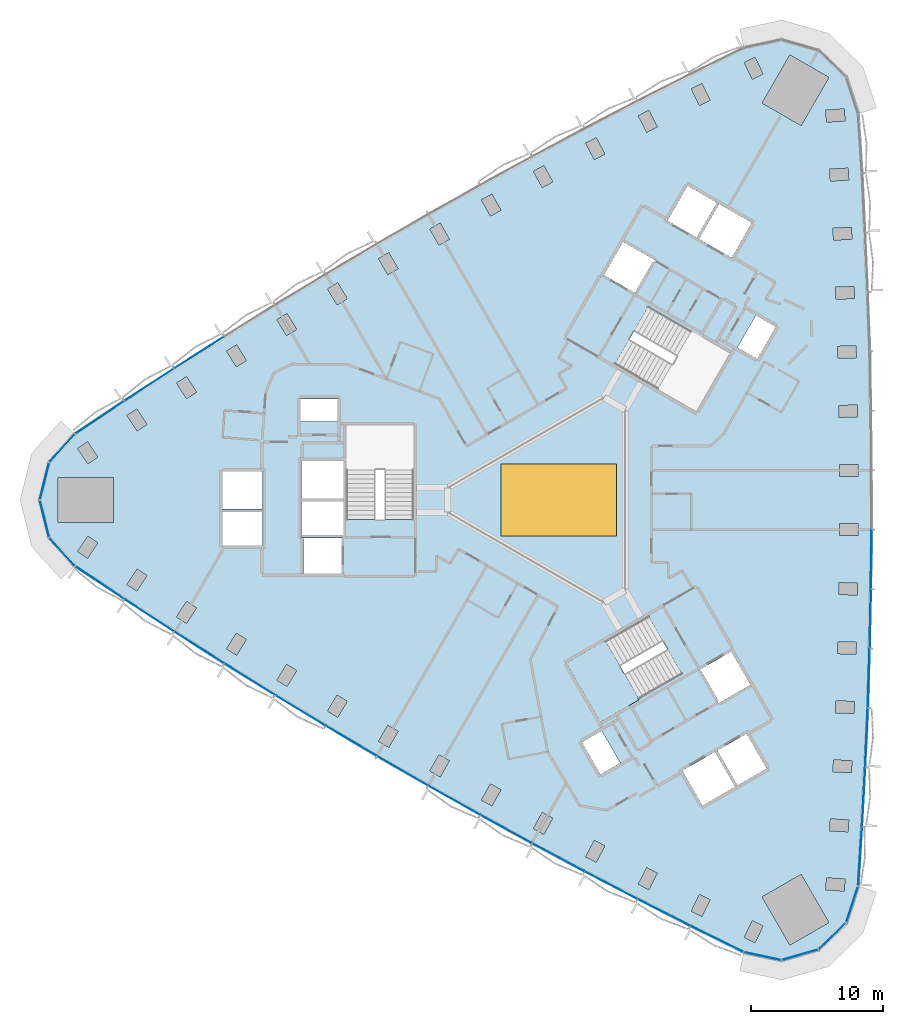
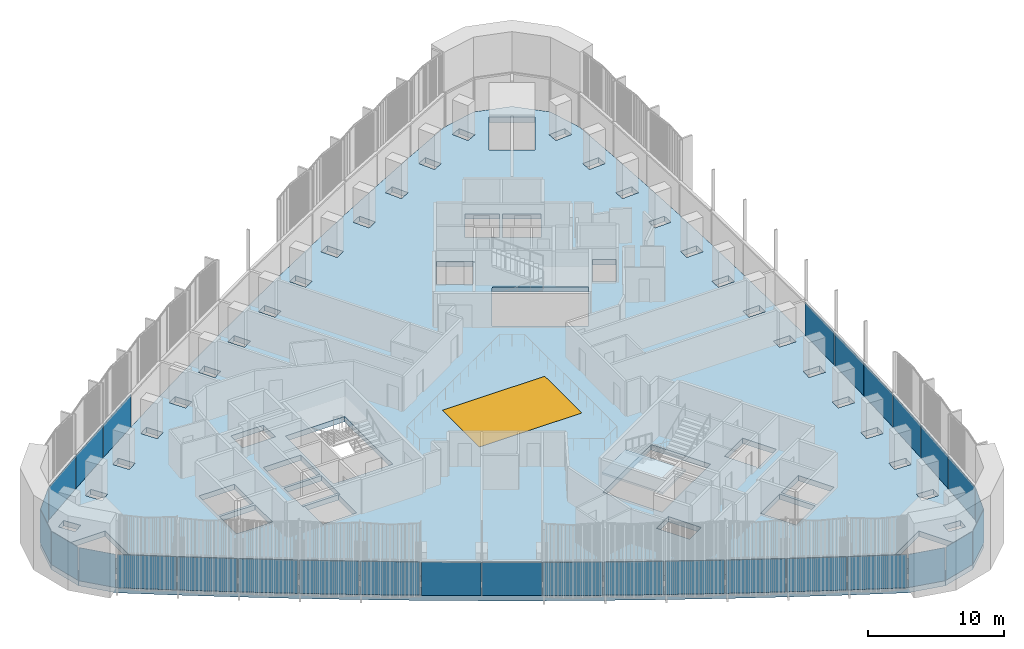
# One storey, part 6 of 15: 30 plates, 2 slabs, 1 window, 1 opening, 4 elements without a shape of their own.
"""IFC4 building model written with IfcOpenShell, lengths in metres."""

import ifcopenshell
import ifcopenshell.guid

model = None  # the IFC model being written
_history = None  # IfcOwnerHistory: only IFC2X3 demands one
_inside = {}  # id of a spatial element -> (the spatial element, [elements in it])
_under = {}  # id of a project, library or spatial element -> (it, [spatial elements below it])
_declared = {}  # id of a project -> (the project, [libraries it declares])
_typed = {}  # id of a type object -> (the type object, [elements of that type])
_made_of = {}  # id of a material, layer set ... -> (it, [elements and type objects made of it])


def new_model(schema):
    """Start an empty IFC model of exactly this schema.

    Asked for "IFC4X3", IfcOpenShell would pick the latest addendum, in which some entities
    have other attributes; the version numbers below select the first issue.
    IFC2X3 requires an IfcOwnerHistory on every rooted entity: one is made here for all.
    """
    global model, _history
    if schema == "IFC4X3":
        model = ifcopenshell.file(schema_version=(4, 3, 0, 0))
    else:
        model = ifcopenshell.file(schema=schema)
    _inside.clear()
    _under.clear()
    _declared.clear()
    _typed.clear()
    _made_of.clear()
    _history = None
    if model.schema == "IFC2X3":
        org = make("IfcOrganization", Name="unknown")
        user = make(
            "IfcPersonAndOrganization",
            ThePerson=make("IfcPerson", FamilyName="unknown"),
            TheOrganization=org,
        )
        app = make(
            "IfcApplication",
            ApplicationDeveloper=org,
            Version="unknown",
            ApplicationFullName="unknown",
            ApplicationIdentifier="unknown",
        )
        _history = make(
            "IfcOwnerHistory",
            OwningUser=user,
            OwningApplication=app,
            ChangeAction="ADDED",
            CreationDate=0,
        )
    return model


def make(cls, **values):
    """One entity of the class cls with the attributes given. An attribute that is None is left unset."""
    return model.create_entity(
        cls, **{name: value for name, value in values.items() if value is not None}
    )


def rooted(cls, **values):
    """An entity with a GlobalId (a new one), such as an element, a storey or a relation."""
    return make(cls, GlobalId=ifcopenshell.guid.new(), OwnerHistory=_history, **values)


def si_unit(unit_type, name, prefix=None):
    """IfcSIUnit, for example si_unit("LENGTHUNIT", "METRE", prefix="MILLI")."""
    return make("IfcSIUnit", UnitType=unit_type, Prefix=prefix, Name=name)


def assignment(units):
    """IfcUnitAssignment: the units of a project."""
    return None if units is None else make("IfcUnitAssignment", Units=units)


def point(xyz):
    """IfcCartesianPoint."""
    return None if xyz is None else make("IfcCartesianPoint", Coordinates=xyz)


def direction(xyz):
    """IfcDirection."""
    return None if xyz is None else make("IfcDirection", DirectionRatios=xyz)


def frame(location, z_axis=None, x_axis=None):
    """IfcAxis2Placement3D, a coordinate frame: its origin and axes. An axis left out is left unset."""
    return make(
        "IfcAxis2Placement3D",
        Location=point(location),
        Axis=direction(z_axis),
        RefDirection=direction(x_axis),
    )


def frame_2d(location, x_axis=None):
    """IfcAxis2Placement2D, a coordinate frame in the plane: its origin and x axis."""
    return make(
        "IfcAxis2Placement2D", Location=point(location), RefDirection=direction(x_axis)
    )


def origin():
    """The frame at (0, 0, 0) with its axes left unset."""
    return frame((0.0, 0.0, 0.0))


def origin_2d():
    """The frame at (0, 0) in the plane with its x axis left unset."""
    return frame_2d((0.0, 0.0))


def place(relative_to, where):
    """IfcLocalPlacement: puts the frame where relative to a parent placement (None: the world)."""
    return make(
        "IfcLocalPlacement", PlacementRelTo=relative_to, RelativePlacement=where
    )


def context(
    kind, dimensions, precision=None, world=None, true_north=None, identifier=None
):
    """IfcGeometricRepresentationContext, for example the 3D "Model" context."""
    return make(
        "IfcGeometricRepresentationContext",
        ContextIdentifier=identifier,
        ContextType=kind,
        CoordinateSpaceDimension=dimensions,
        Precision=precision,
        WorldCoordinateSystem=world,
        TrueNorth=true_north,
    )


def subcontext(parent, identifier, kind, view, scale=None):
    """IfcGeometricRepresentationSubContext, for example "Body" below "Model"."""
    return make(
        "IfcGeometricRepresentationSubContext",
        ContextIdentifier=identifier,
        ContextType=kind,
        ParentContext=parent,
        TargetScale=scale,
        TargetView=view,
    )


def project(units=None, contexts=None):
    """IfcProject with its units and contexts."""
    return rooted(
        "IfcProject",
        Name="project",
        RepresentationContexts=contexts,
        UnitsInContext=assignment(units),
    )


def spatial(cls, under=None, at=None, **own):
    """A site, building, storey or space (cls), placed at a placement, below another one or the project."""
    s = rooted(cls, ObjectPlacement=at, **own)
    if under is not None:
        _under.setdefault(under.id(), (under, []))[1].append(s)
    return s


def polyline(points):
    """IfcPolyline through the points."""
    return make("IfcPolyline", Points=[point(p) for p in points])


def profile(cls, at=None, kind="AREA", **sizes):
    """A parametric profile (cls). Its sizes go by their IFC names, for example OverallWidth=200.0."""
    return make(cls, ProfileType=kind, Position=at, **sizes)


def rectangle(**sizes):
    """IfcRectangleProfileDef."""
    return profile("IfcRectangleProfileDef", **sizes)


def outline(outer, holes=None, kind="AREA"):
    """IfcArbitraryClosedProfileDef: a profile drawn as a closed curve; with holes, ...WithVoids."""
    if holes is None:
        return make("IfcArbitraryClosedProfileDef", ProfileType=kind, OuterCurve=outer)
    return make(
        "IfcArbitraryProfileDefWithVoids",
        ProfileType=kind,
        OuterCurve=outer,
        InnerCurves=holes,
    )


def extrude(swept, where, along, depth):
    """IfcExtrudedAreaSolid: the profile swept, set in the frame where, extruded along a direction by depth."""
    return make(
        "IfcExtrudedAreaSolid",
        SweptArea=swept,
        Position=where,
        ExtrudedDirection=direction(along),
        Depth=depth,
    )


def shape(context_of_items, identifier, shape_type, items):
    """IfcShapeRepresentation: the items that make up one representation, for example the "Body"."""
    return make(
        "IfcShapeRepresentation",
        ContextOfItems=context_of_items,
        RepresentationIdentifier=identifier,
        RepresentationType=shape_type,
        Items=items,
    )


def material(Name=None, Category=None):
    """IfcMaterial."""
    return make("IfcMaterial", Name=Name, Category=Category)


def layer(
    of_material, thickness, ventilated=None, Name=None, Category=None, Priority=None
):
    """IfcMaterialLayer: one layer of a wall or slab, of a material (None: an air gap)."""
    return make(
        "IfcMaterialLayer",
        Material=of_material,
        LayerThickness=thickness,
        IsVentilated=ventilated,
        Name=Name,
        Category=Category,
        Priority=Priority,
    )


def layer_set(layers, Name=None):
    """IfcMaterialLayerSet."""
    return make("IfcMaterialLayerSet", MaterialLayers=layers, LayerSetName=Name)


def made_of(thing, what):
    """Note that an element or type object is made of a material, layer set ...; save() writes the relation."""
    if what is not None:
        _made_of.setdefault(what.id(), (what, []))[1].append(thing)
    return thing


def type_object(cls, material=None, **own):
    """A type object (cls), such as IfcWallType, which elements share."""
    return made_of(rooted(cls, **own), material)


def element(
    cls,
    number,
    at=None,
    inside=None,
    cuts=None,
    type_object=None,
    material=None,
    context=None,
    identifier="Body",
    shape_type=None,
    held_by="IfcProductDefinitionShape",
    body=None,
    shapes=None,
    **own,
):
    """One element of the class cls, such as IfcWall. Its Tag is "e" and its number.

    at: its placement. inside: the storey or other place that contains it. cuts: it is an
    opening in that element (IfcRelVoidsElement). A single representation is given by context,
    identifier, shape_type and body (its items); several are given by shapes. held_by: the class
    of the entity that holds the representations. save() writes the other relations.
    """
    e = rooted(cls, Tag="e%d" % number, ObjectPlacement=at, **own)
    if body is not None:
        shapes = [shape(context, identifier, shape_type, body)]
    if shapes is not None:
        e.Representation = make(held_by, Representations=shapes)
    if inside is not None:
        _inside.setdefault(inside.id(), (inside, []))[1].append(e)
    if cuts is not None:
        rooted(
            "IfcRelVoidsElement", RelatingBuildingElement=cuts, RelatedOpeningElement=e
        )
    if type_object is not None:
        _typed.setdefault(type_object.id(), (type_object, []))[1].append(e)
    return made_of(e, material)


def fill(opening, filler):
    """IfcRelFillsElement: the door or window that sits in an opening."""
    return rooted(
        "IfcRelFillsElement",
        RelatingOpeningElement=opening,
        RelatedBuildingElement=filler,
    )


def aggregate(whole, parts):
    """IfcRelAggregates: a whole, such as a stair, and the parts it consists of."""
    return rooted("IfcRelAggregates", RelatingObject=whole, RelatedObjects=parts)


def save(model, path):
    """Write the relations noted so far, then the file.

    IfcRelAggregates (storeys below a building ...), IfcRelContainedInSpatialStructure (elements
    in a storey), IfcRelDefinesByType, IfcRelAssociatesMaterial and IfcRelDeclares: one each for
    every whole, place, type object, material and project.
    """
    for whole, parts in _under.values():
        aggregate(whole, parts)
    for where, things in _inside.values():
        rooted(
            "IfcRelContainedInSpatialStructure",
            RelatedElements=things,
            RelatingStructure=where,
        )
    for kind, things in _typed.values():
        rooted("IfcRelDefinesByType", RelatedObjects=things, RelatingType=kind)
    for what, things in _made_of.values():
        rooted("IfcRelAssociatesMaterial", RelatedObjects=things, RelatingMaterial=what)
    for by, libraries in _declared.values():
        rooted("IfcRelDeclares", RelatingContext=by, RelatedDefinitions=libraries)
    model.write(path)


model = new_model("IFC4")

# Units and contexts
model_context = context("Model", 3, precision=1e-05, world=origin(), true_north=direction((0.0, 1.0)))
body_context = subcontext(model_context, "Body", "Model", "MODEL_VIEW")
ifc_project = project(units=[si_unit("LENGTHUNIT", "METRE"), si_unit("AREAUNIT", "SQUARE_METRE"), si_unit("VOLUMEUNIT", "CUBIC_METRE"), si_unit("PLANEANGLEUNIT", "RADIAN"), si_unit("MASSUNIT", "GRAM", prefix="KILO")], contexts=[model_context])

# Site, building, storey
site_placement = place(None, origin())
site = spatial("IfcSite", under=ifc_project, at=site_placement, CompositionType="ELEMENT")
building_placement = place(site_placement, origin())
building = spatial("IfcBuilding", under=site, at=building_placement, Name="Tamra Quay Hotel Tower", CompositionType="ELEMENT")
storey_placement = place(building_placement, frame((0.0, 0.0, 35.0)))
storey = spatial("IfcBuildingStorey", under=building, at=storey_placement, Name="L06", CompositionType="ELEMENT", Elevation=35.0)

# Stair, slab
ifc_material_1 = material(Name="Exit stair 2200 24 risers 150.0 going 342")
stair_type = type_object("IfcStairType", Name="Exit stair 2200 24 risers 150.0 going 342", PredefinedType="HALF_TURN_STAIR", material=ifc_material_1)
stair_placement = place(storey_placement, origin())
stair = element("IfcStair", 1, at=stair_placement, inside=storey, type_object=stair_type, Name="L06 Exit stair ST2", PredefinedType="HALF_TURN_STAIR")
ifc_material_2 = material(Name="Concrete M70", Category="concrete")
ifc_layer_1 = layer(ifc_material_2, 0.175048828125)
ifc_layer_set_1 = layer_set([ifc_layer_1], Name="Concrete M70 stair landing 180")
slab_type_1 = type_object("IfcSlabType", Name="Concrete M70 stair landing 180", PredefinedType="LANDING", material=ifc_layer_set_1)
slab_1_placement = place(storey_placement, frame((0.0, 0.0, 1.625)))
slab_1 = element("IfcSlab", 2, at=slab_1_placement, type_object=slab_type_1, Name="ST2 landing 1", PredefinedType="LANDING", context=body_context, shape_type="SweptSolid", body=[
    extrude(outline(polyline([(3.50732421875, -10.5986328125), (0.547119140625, -12.3076171875), (3.126708984375, -16.775390625), (6.086669921875, -15.06640625), (3.50732421875, -10.5986328125)])), origin(), (0.0, 0.0, 1.0), 0.175048828125),
])
aggregate(stair, [slab_1])

# Slab, opening, window
ifc_material_3 = material(Name="Concrete M60", Category="concrete")
ifc_layer_2 = layer(ifc_material_3, 0.47509765625)
ifc_layer_set_2 = layer_set([ifc_layer_2], Name="FLOOR SLAB PT 475")
slab_type_2 = type_object("IfcSlabType", Name="FLOOR SLAB PT 475", PredefinedType="FLOOR", material=ifc_layer_set_2)
slab_2_placement = place(storey_placement, frame((0.0, 0.0, -0.47509765625)))
slab_2 = element("IfcSlab", 3, at=slab_2_placement, inside=storey, type_object=slab_type_2, Name="SLAB-L06", PredefinedType="FLOOR", context=body_context, shape_type="SweptSolid", body=[
    extrude(outline(polyline([(22.8896484375, 24.67529296875), (23.13232421875, 20.1923828125), (23.32666015625, 15.707763671875), (23.472412109375, 11.221435546875), (23.569580078125, 6.73291015625), (23.618408203125, 2.244384765625), (23.618408203125, -2.244384765625), (23.569580078125, -6.73291015625), (23.472412109375, -11.221435546875), (23.32666015625, -15.707763671875), (23.13232421875, -20.1923828125), (22.8896484375, -24.67529296875), (22.598876953125, -29.154296875), (21.697998046875, -31.926025390625), (19.601318359375, -33.95068359375), (16.7998046875, -34.754150390625), (13.948974609375, -34.148193359375), (9.9248046875, -32.16064453125), (5.9208984375, -30.12939453125), (1.93994140625, -28.055419921875), (-2.018310546875, -25.9384765625), (-5.9541015625, -23.7783203125), (-9.865478515625, -21.576171875), (-13.752685546875, -19.331787109375), (-17.61572265625, -17.04541015625), (-21.454345703125, -14.717041015625), (-25.2666015625, -12.34765625), (-29.05322265625, -9.93701171875), (-32.814208984375, -7.4853515625), (-36.547607421875, -4.993896484375), (-38.497802734375, -2.827880859375), (-39.202880859375, 0.0), (-38.497802734375, 2.827880859375), (-36.547607421875, 4.993896484375), (-32.814208984375, 7.4853515625), (-29.05322265625, 9.93701171875), (-25.2666015625, 12.34765625), (-21.454345703125, 14.717041015625), (-17.61572265625, 17.04541015625), (-13.752685546875, 19.331787109375), (-9.865478515625, 21.576171875), (-5.9541015625, 23.7783203125), (-2.018310546875, 25.9384765625), (1.93994140625, 28.055419921875), (5.9208984375, 30.12939453125), (9.9248046875, 32.16064453125), (13.948974609375, 34.148193359375), (16.7998046875, 34.754150390625), (19.601318359375, 33.95068359375), (21.697998046875, 31.926025390625), (22.598876953125, 29.154296875), (22.8896484375, 24.67529296875)]), holes=[polyline([(-13.624755859375, -18.220703125), (-12.84765625, -18.6748046875), (-12.141357421875, -17.466064453125), (-12.918212890625, -17.011962890625), (-13.624755859375, -18.220703125)]), polyline([(-16.756591796875, -14.734619140625), (-17.475830078125, -15.935791015625), (-16.70361328125, -16.39794921875), (-15.984375, -15.19677734375), (-16.756591796875, -14.734619140625)]), polyline([(-20.56884765625, -12.416015625), (-21.3017578125, -13.60888671875), (-20.534912109375, -14.080078125), (-19.802001953125, -12.88720703125), (-20.56884765625, -12.416015625)]), polyline([(-24.357177734375, -10.05615234375), (-25.102294921875, -11.2412109375), (-24.340576171875, -11.72021484375), (-23.59521484375, -10.53515625), (-24.357177734375, -10.05615234375)]), polyline([(-28.11962890625, -7.6552734375), (-28.87744140625, -8.83251953125), (-28.12060546875, -9.319580078125), (-27.36279296875, -8.142578125), (-28.11962890625, -7.6552734375)]), polyline([(-31.854736328125, -5.21435546875), (-32.6259765625, -6.3828125), (-31.874755859375, -6.878662109375), (-31.103515625, -5.710205078125), (-31.854736328125, -5.21435546875)]), polyline([(-16.3173828125, -2.85498046875), (-19.4072265625, -2.85498046875), (-19.4072265625, -2.89306640625), (-19.307373046875, -2.89306640625), (-19.307373046875, -5.544921875), (-16.417236328125, -5.544921875), (-16.417236328125, -2.89306640625), (-16.3173828125, -2.89306640625), (-16.3173828125, -2.85498046875)]), polyline([(-35.565185546875, -2.73291015625), (-36.347900390625, -3.8935546875), (-35.601806640625, -4.396728515625), (-34.819091796875, -3.236083984375), (-35.565185546875, -2.73291015625)]), polyline([(-22.3671875, -3.445068359375), (-22.3671875, -0.905029296875), (-25.4072265625, -0.905029296875), (-25.4072265625, -3.445068359375), (-22.3671875, -3.445068359375)]), polyline([(-19.417236328125, -2.89306640625), (-19.417236328125, -2.64501953125), (-16.307373046875, -2.64501953125), (-16.307373046875, -2.89306640625), (-16.26708984375, -2.89306640625), (-16.26708984375, -0.10498046875), (-19.45751953125, -0.10498046875), (-19.45751953125, -2.89306640625), (-19.417236328125, -2.89306640625)]), polyline([(-33.62890625, 1.699951171875), (-37.828857421875, 1.699951171875), (-37.828857421875, -1.699951171875), (-33.62890625, -1.699951171875), (-33.62890625, 1.699951171875)]), polyline([(-25.4072265625, -0.695068359375), (-22.3671875, -0.695068359375), (-22.3671875, 2.14501953125), (-25.4072265625, 2.14501953125), (-25.4072265625, -0.695068359375)]), polyline([(-19.45751953125, 0.10498046875), (-16.26708984375, 0.10498046875), (-16.26708984375, 2.945068359375), (-19.45751953125, 2.945068359375), (-19.45751953125, 0.10498046875)]), polyline([(-16.036376953125, -1.455078125), (-10.9873046875, -1.455078125), (-10.9873046875, 5.625), (-16.036376953125, 5.625), (-16.036376953125, -1.455078125)]), polyline([(-34.819091796875, 3.236083984375), (-35.601806640625, 4.396728515625), (-36.347900390625, 3.8935546875), (-35.565185546875, 2.73291015625), (-34.819091796875, 3.236083984375)]), polyline([(-31.103515625, 5.710205078125), (-31.874755859375, 6.878662109375), (-32.6259765625, 6.3828125), (-31.854736328125, 5.21435546875), (-31.103515625, 5.710205078125)]), polyline([(-16.71728515625, 7.64501953125), (-19.50732421875, 7.64501953125), (-19.50732421875, 5.9150390625), (-16.71728515625, 5.9150390625), (-16.71728515625, 7.64501953125)]), polyline([(-27.36279296875, 8.142578125), (-28.12060546875, 9.319580078125), (-28.87744140625, 8.83251953125), (-28.11962890625, 7.6552734375), (-27.36279296875, 8.142578125)]), polyline([(-23.59521484375, 10.53515625), (-24.340576171875, 11.72021484375), (-25.102294921875, 11.2412109375), (-24.357177734375, 10.05615234375), (-23.59521484375, 10.53515625)]), polyline([(-19.802001953125, 12.88720703125), (-20.534912109375, 14.080078125), (-21.3017578125, 13.60888671875), (-20.56884765625, 12.416015625), (-19.802001953125, 12.88720703125)]), polyline([(-15.984375, 15.19677734375), (-16.70361328125, 16.39794921875), (-17.475830078125, 15.935791015625), (-16.756591796875, 14.734619140625), (-15.984375, 15.19677734375)]), polyline([(10.606689453125, -29.79150390625), (9.980224609375, -31.04345703125), (10.78515625, -31.4462890625), (11.41162109375, -30.194091796875), (10.606689453125, -29.79150390625)]), polyline([(6.6298828125, -27.76806640625), (5.9892578125, -29.012939453125), (6.78955078125, -29.4248046875), (7.43017578125, -28.179931640625), (6.6298828125, -27.76806640625)]), polyline([(2.673828125, -25.70166015625), (2.02001953125, -26.939697265625), (2.81591796875, -27.35986328125), (3.4697265625, -26.121826171875), (2.673828125, -25.70166015625)]), polyline([(-1.259521484375, -23.5927734375), (-1.92626953125, -24.82373046875), (-1.134765625, -25.252197265625), (-0.46826171875, -24.021240234375), (-1.259521484375, -23.5927734375)]), polyline([(-5.168701171875, -21.44140625), (-5.849365234375, -22.664794921875), (-5.06298828125, -23.102294921875), (-4.382080078125, -21.87890625), (-5.168701171875, -21.44140625)]), polyline([(13.3056640625, -21.65576171875), (11.78564453125, -19.02294921875), (9.325927734375, -20.443115234375), (10.845947265625, -23.075927734375), (13.3056640625, -21.65576171875)]), polyline([(-9.055419921875, -19.247802734375), (-9.7490234375, -20.4638671875), (-8.96728515625, -20.90966796875), (-8.273681640625, -19.693603515625), (-9.055419921875, -19.247802734375)]), polyline([(1.73779296875, -18.300048828125), (3.1328125, -20.71630859375), (4.631103515625, -19.851318359375), (3.236083984375, -17.43505859375), (1.73779296875, -18.300048828125)]), polyline([(10.68115234375, -12.790283203125), (12.05615234375, -15.171875), (11.969482421875, -15.2216796875), (12.03955078125, -15.343017578125), (14.455810546875, -13.947998046875), (13.0107421875, -11.4453125), (10.68115234375, -12.790283203125)]), polyline([(9.2783203125, -13.160400390625), (6.75390625, -8.78759765625), (0.622314453125, -12.32763671875), (3.146728515625, -16.7001953125), (9.2783203125, -13.160400390625)]), polyline([(4.2333984375, 10.242919921875), (10.364990234375, 6.702880859375), (12.889404296875, 11.075439453125), (6.758056640625, 14.615478515625), (4.2333984375, 10.242919921875)]), polyline([(5.736083984375, 15.645263671875), (7.111083984375, 18.02685546875), (7.19775390625, 17.976806640625), (7.267578125, 18.09814453125), (4.8515625, 19.4931640625), (3.406494140625, 16.990234375), (5.736083984375, 15.645263671875)]), polyline([(-12.141357421875, 17.466064453125), (-12.84765625, 18.6748046875), (-13.624755859375, 18.220703125), (-12.918212890625, 17.011962890625), (-12.141357421875, 17.466064453125)]), polyline([(-8.273681640625, 19.693603515625), (-8.96728515625, 20.90966796875), (-9.7490234375, 20.4638671875), (-9.055419921875, 19.247802734375), (-8.273681640625, 19.693603515625)]), polyline([(12.101806640625, 22.350830078125), (10.58154296875, 19.718017578125), (13.041259765625, 18.298095703125), (14.561279296875, 20.930908203125), (12.101806640625, 22.350830078125)]), polyline([(8.2001953125, 21.093017578125), (10.39990234375, 19.822998046875), (11.919921875, 22.455810546875), (9.72021484375, 23.725830078125), (8.2001953125, 21.093017578125)]), polyline([(-4.382080078125, 21.87890625), (-5.06298828125, 23.102294921875), (-5.849365234375, 22.664794921875), (-5.168701171875, 21.44140625), (-4.382080078125, 21.87890625)]), polyline([(-0.46826171875, 24.021240234375), (-1.134765625, 25.252197265625), (-1.92626953125, 24.82373046875), (-1.259521484375, 23.5927734375), (-0.46826171875, 24.021240234375)]), polyline([(3.4697265625, 26.121826171875), (2.81591796875, 27.35986328125), (2.02001953125, 26.939697265625), (2.673828125, 25.70166015625), (3.4697265625, 26.121826171875)]), polyline([(7.43017578125, 28.179931640625), (6.78955078125, 29.4248046875), (5.9892578125, 29.012939453125), (6.6298828125, 27.76806640625), (7.43017578125, 28.179931640625)]), polyline([(11.41162109375, 30.194091796875), (10.78515625, 31.4462890625), (9.980224609375, 31.04345703125), (10.606689453125, 29.79150390625), (11.41162109375, 30.194091796875)]), polyline([(14.60693359375, -31.772216796875), (13.993408203125, -33.030517578125), (14.80224609375, -33.425048828125), (15.416015625, -32.166748046875), (14.60693359375, -31.772216796875)]), polyline([(15.34228515625, -29.973388671875), (17.442138671875, -33.61083984375), (20.38671875, -31.910888671875), (18.28662109375, -28.2734375), (15.34228515625, -29.973388671875)]), polyline([(20.1494140625, -29.43408203125), (21.5458984375, -29.53173828125), (21.608642578125, -28.6337890625), (20.212158203125, -28.5361328125), (20.1494140625, -29.43408203125)]), polyline([(20.443115234375, -24.979736328125), (21.840576171875, -25.0634765625), (21.894287109375, -24.1650390625), (20.496826171875, -24.081298828125), (20.443115234375, -24.979736328125)]), polyline([(20.689453125, -20.524658203125), (22.087890625, -20.59228515625), (22.13134765625, -19.693359375), (20.73291015625, -19.625732421875), (20.689453125, -20.524658203125)]), polyline([(14.1669921875, -17.648193359375), (11.96728515625, -18.91796875), (13.487548828125, -21.55078125), (15.68701171875, -20.281005859375), (14.1669921875, -17.648193359375)]), polyline([(20.887451171875, -16.06591796875), (22.286376953125, -16.11865234375), (22.3203125, -15.219482421875), (20.92138671875, -15.16650390625), (20.887451171875, -16.06591796875)]), polyline([(21.037109375, -11.60498046875), (22.4365234375, -11.643310546875), (22.461181640625, -10.74365234375), (21.0615234375, -10.70556640625), (21.037109375, -11.60498046875)]), polyline([(21.138916015625, -7.144287109375), (22.538818359375, -7.16650390625), (22.552978515625, -6.2666015625), (21.153076171875, -6.244384765625), (21.138916015625, -7.144287109375)]), polyline([(21.19189453125, -2.681640625), (22.591796875, -2.68896484375), (22.5966796875, -1.7890625), (21.19677734375, -1.781494140625), (21.19189453125, -2.681640625)]), polyline([(21.19677734375, 1.781494140625), (22.5966796875, 1.7890625), (22.591796875, 2.68896484375), (21.19189453125, 2.681640625), (21.19677734375, 1.781494140625)]), polyline([(21.153076171875, 6.244384765625), (22.552978515625, 6.2666015625), (22.538818359375, 7.16650390625), (21.138916015625, 7.144287109375), (21.153076171875, 6.244384765625)]), polyline([(21.0615234375, 10.70556640625), (22.461181640625, 10.74365234375), (22.4365234375, 11.643310546875), (21.037109375, 11.60498046875), (21.0615234375, 10.70556640625)]), polyline([(14.9794921875, 10.655029296875), (16.37451171875, 13.0712890625), (14.876220703125, 13.936279296875), (13.481201171875, 11.52001953125), (14.9794921875, 10.655029296875)]), polyline([(20.92138671875, 15.16650390625), (22.3203125, 15.219482421875), (22.286376953125, 16.11865234375), (20.887451171875, 16.06591796875), (20.92138671875, 15.16650390625)]), polyline([(20.73291015625, 19.625732421875), (22.13134765625, 19.693359375), (22.087890625, 20.59228515625), (20.689453125, 20.524658203125), (20.73291015625, 19.625732421875)]), polyline([(20.496826171875, 24.081298828125), (21.894287109375, 24.1650390625), (21.840576171875, 25.0634765625), (20.443115234375, 24.979736328125), (20.496826171875, 24.081298828125)]), polyline([(20.212158203125, 28.5361328125), (21.608642578125, 28.6337890625), (21.5458984375, 29.53173828125), (20.1494140625, 29.43408203125), (20.212158203125, 28.5361328125)]), polyline([(18.28662109375, 28.2734375), (20.38671875, 31.910888671875), (17.442138671875, 33.61083984375), (15.34228515625, 29.973388671875), (18.28662109375, 28.2734375)]), polyline([(15.416015625, 32.166748046875), (14.80224609375, 33.425048828125), (13.993408203125, 33.030517578125), (14.60693359375, 31.772216796875), (15.416015625, 32.166748046875)])]), origin(), (0.0, 0.0, 1.0), 0.47509765625),
])
opening_placement = place(slab_2_placement, origin())
opening = element("IfcOpeningElement", 4, at=opening_placement, cuts=slab_2, Name="Opening SK1-8720", PredefinedType="OPENING", context=body_context, shape_type="SweptSolid", body=[
    extrude(rectangle(XDim=8.719970703125, YDim=5.43994140625, at=origin_2d()), origin(), (0.0, 0.0, 1.0), 0.47509765625),
])
ifc_material_4 = material(Name="Fire-rated laminated glass in steel frame", Category="steel")
window_type = type_object("IfcWindowType", Name="ATRIUM SKYLIGHT 8720X5440", PartitioningType="SINGLE_PANEL", PredefinedType="SKYLIGHT", material=ifc_material_4)
window_placement = place(opening_placement, frame((0.0, 0.0, 0.425048828125)))
window = element("IfcWindow", 5, at=window_placement, inside=storey, type_object=window_type, Name="SK1-8720", OverallHeight=5.43994140625, OverallWidth=8.719970703125, PartitioningType="SINGLE_PANEL", PredefinedType="SKYLIGHT", context=body_context, shape_type="SweptSolid", body=[
    extrude(rectangle(XDim=8.719970703125, YDim=5.43994140625, at=origin_2d()), origin(), (0.0, 0.0, 1.0), 0.050048828125),
])
fill(opening, window)

# Curtain wall, plates
ifc_material_5 = material(Name="Aluminium 6063 anodised dark grey", Category="aluminium")
curtain_wall_type_1 = type_object("IfcCurtainWallType", Name="CW1 CURTAIN WALL", PredefinedType="NOTDEFINED", material=ifc_material_5)
curtain_wall_1_placement = place(storey_placement, origin())
curtain_wall_1 = element("IfcCurtainWall", 6, at=curtain_wall_1_placement, inside=storey, type_object=curtain_wall_type_1, Name="CW1 east face L06", PredefinedType="NOTDEFINED")
ifc_material_6 = material(Name="Glass clear laminated low-iron", Category="glass")
ifc_layer_3 = layer(ifc_material_6, 0.035888671875)
ifc_layer_set_3 = layer_set([ifc_layer_3], Name="GLASS PANEL CW1 Z1")
plate_type_1 = type_object("IfcPlateType", Name="GLASS PANEL CW1 Z1", PredefinedType="CURTAIN_PANEL", material=ifc_layer_set_3)
plate_1_placement = place(storey_placement, frame((22.744140625, -26.914794921875, 0.0), z_axis=(0.0, 0.0, 1.0), x_axis=(0.064813190551, 0.997897414733, 0.0)))
plate_1 = element("IfcPlate", 7, at=plate_1_placement, type_object=plate_type_1, Name="CW1 glass L06.E.1", PredefinedType="CURTAIN_PANEL", context=body_context, shape_type="SweptSolid", body=[
    extrude(rectangle(XDim=4.38818359375, YDim=0.035888671875, at=origin_2d()), origin(), (0.0, 0.0, 1.0), 2.985107421875),
])
plate_2_placement = place(storey_placement, frame((23.010986328125, -22.433837890625, 0.0), z_axis=(0.0, 0.0, 1.0), x_axis=(0.054062166947, 0.998537571704, 0.0)))
plate_2 = element("IfcPlate", 8, at=plate_2_placement, type_object=plate_type_1, Name="CW1 glass L06.E.2", PredefinedType="CURTAIN_PANEL", context=body_context, shape_type="SweptSolid", body=[
    extrude(rectangle(XDim=4.3896484375, YDim=0.035888671875, at=origin_2d()), origin(), (0.0, 0.0, 1.0), 2.985107421875),
])
plate_3_placement = place(storey_placement, frame((23.2294921875, -17.949951171875, 0.0), z_axis=(0.0, 0.0, 1.0), x_axis=(0.04328585604, 0.999062728094, 0.0)))
plate_3 = element("IfcPlate", 9, at=plate_3_placement, type_object=plate_type_1, Name="CW1 glass L06.E.3", PredefinedType="CURTAIN_PANEL", context=body_context, shape_type="SweptSolid", body=[
    extrude(rectangle(XDim=4.388671875, YDim=0.035888671875, at=origin_2d()), origin(), (0.0, 0.0, 1.0), 2.985107421875),
])
plate_4_placement = place(storey_placement, frame((23.399658203125, -13.464599609375, 0.0), z_axis=(0.0, 0.0, 1.0), x_axis=(0.032474671117, 0.999472558771, 0.0)))
plate_4 = element("IfcPlate", 10, at=plate_4_placement, type_object=plate_type_1, Name="CW1 glass L06.E.4", PredefinedType="CURTAIN_PANEL", context=body_context, shape_type="SweptSolid", body=[
    extrude(rectangle(XDim=4.388671875, YDim=0.035888671875, at=origin_2d()), origin(), (0.0, 0.0, 1.0), 2.985107421875),
])
plate_5_placement = place(storey_placement, frame((23.52099609375, -8.97705078125, 0.0), z_axis=(0.0, 0.0, 1.0), x_axis=(0.021657653853, 0.999765445507, 0.0)))
plate_5 = element("IfcPlate", 11, at=plate_5_placement, type_object=plate_type_1, Name="CW1 glass L06.E.5", PredefinedType="CURTAIN_PANEL", context=body_context, shape_type="SweptSolid", body=[
    extrude(rectangle(XDim=4.3896484375, YDim=0.035888671875, at=origin_2d()), origin(), (0.0, 0.0, 1.0), 2.985107421875),
])
plate_6_placement = place(storey_placement, frame((23.593994140625, -4.488525390625, 0.0), z_axis=(0.0, 0.0, 1.0), x_axis=(0.010836354168, 0.99994128499, 0.0)))
plate_6 = element("IfcPlate", 12, at=plate_6_placement, type_object=plate_type_1, Name="CW1 glass L06.E.6", PredefinedType="CURTAIN_PANEL", context=body_context, shape_type="SweptSolid", body=[
    extrude(rectangle(XDim=4.388671875, YDim=0.035888671875, at=origin_2d()), origin(), (0.0, 0.0, 1.0), 2.985107421875),
])
aggregate(curtain_wall_1, [plate_1, plate_2, plate_3, plate_4, plate_5, plate_6])

curtain_wall_type_2 = type_object("IfcCurtainWallType", Name="CW2 CURTAIN WALL", PredefinedType="NOTDEFINED", material=ifc_material_5)
curtain_wall_2_placement = place(storey_placement, origin())
curtain_wall_2 = element("IfcCurtainWall", 13, at=curtain_wall_2_placement, inside=storey, type_object=curtain_wall_type_2, Name="CW2 north-west face L06", PredefinedType="NOTDEFINED")
ifc_layer_4 = layer(ifc_material_6, 0.035888671875)
ifc_layer_set_4 = layer_set([ifc_layer_4], Name="GLASS PANEL CW2 Z1")
plate_type_2 = type_object("IfcPlateType", Name="GLASS PANEL CW2 Z1", PredefinedType="CURTAIN_PANEL", material=ifc_layer_set_4)
plate_7_placement = place(storey_placement, frame((-27.159912109375, 11.142333984375, 0.0), z_axis=(0.0, 0.0, 1.0), x_axis=(-0.843570774484, -0.537018015002, 0.0)))
plate_7 = element("IfcPlate", 14, at=plate_7_placement, type_object=plate_type_2, Name="CW2 glass L06.NW.11", PredefinedType="CURTAIN_PANEL", context=body_context, shape_type="SweptSolid", body=[
    extrude(rectangle(XDim=4.388671875, YDim=0.035888671875, at=origin_2d()), origin(), (0.0, 0.0, 1.0), 2.985107421875),
])
plate_8_placement = place(storey_placement, frame((-30.933837890625, 8.711181640625, 0.0), z_axis=(0.0, 0.0, 1.0), x_axis=(-0.837727820256, -0.546087995811, 0.0)))
plate_8 = element("IfcPlate", 15, at=plate_8_placement, type_object=plate_type_2, Name="CW2 glass L06.NW.12", PredefinedType="CURTAIN_PANEL", context=body_context, shape_type="SweptSolid", body=[
    extrude(rectangle(XDim=4.3896484375, YDim=0.035888671875, at=origin_2d()), origin(), (0.0, 0.0, 1.0), 2.985107421875),
])
plate_9_placement = place(storey_placement, frame((-34.680908203125, 6.23974609375, 0.0), z_axis=(0.0, 0.0, 1.0), x_axis=(-0.831797916254, -0.555078576884, 0.0)))
plate_9 = element("IfcPlate", 16, at=plate_9_placement, type_object=plate_type_2, Name="CW2 glass L06.NW.13", PredefinedType="CURTAIN_PANEL", context=body_context, shape_type="SweptSolid", body=[
    extrude(rectangle(XDim=4.38818359375, YDim=0.035888671875, at=origin_2d()), origin(), (0.0, 0.0, 1.0), 2.985107421875),
])
plate_10_placement = place(storey_placement, frame((-37.522705078125, 3.910888671875, 0.0), z_axis=(0.0, 0.0, 1.0), x_axis=(-0.669112198553, -0.743161399527, 0.0)))
plate_10 = element("IfcPlate", 17, at=plate_10_placement, type_object=plate_type_2, Name="CW2 glass L06.NW.14", PredefinedType="CURTAIN_PANEL", context=body_context, shape_type="SweptSolid", body=[
    extrude(rectangle(XDim=2.814697265625, YDim=0.035888671875, at=origin_2d()), origin(), (0.0, 0.0, 1.0), 2.985107421875),
])
plate_11_placement = place(storey_placement, frame((-38.850341796875, 1.4140625, 0.0), z_axis=(0.0, 0.0, 1.0), x_axis=(-0.241913884219, -0.970297723702, 0.0)))
plate_11 = element("IfcPlate", 18, at=plate_11_placement, type_object=plate_type_2, Name="CW2 glass L06.NW.15", PredefinedType="CURTAIN_PANEL", context=body_context, shape_type="SweptSolid", body=[
    extrude(rectangle(XDim=2.814697265625, YDim=0.035888671875, at=origin_2d()), origin(), (0.0, 0.0, 1.0), 2.985107421875),
])
plate_12_placement = place(storey_placement, frame((-38.850341796875, -1.4140625, 0.0), z_axis=(0.0, 0.0, 1.0), x_axis=(0.24191388422, -0.970297723702, 0.0)))
plate_12 = element("IfcPlate", 19, at=plate_12_placement, type_object=plate_type_2, Name="CW2 glass L06.NW.16", PredefinedType="CURTAIN_PANEL", context=body_context, shape_type="SweptSolid", body=[
    extrude(rectangle(XDim=2.814697265625, YDim=0.035888671875, at=origin_2d()), origin(), (0.0, 0.0, 1.0), 2.985107421875),
])
plate_13_placement = place(storey_placement, frame((-37.522705078125, -3.910888671875, 0.0), z_axis=(0.0, 0.0, 1.0), x_axis=(0.669112198553, -0.743161399527, 0.0)))
plate_13 = element("IfcPlate", 20, at=plate_13_placement, type_object=plate_type_2, Name="CW2 glass L06.NW.17", PredefinedType="CURTAIN_PANEL", context=body_context, shape_type="SweptSolid", body=[
    extrude(rectangle(XDim=2.814697265625, YDim=0.035888671875, at=origin_2d()), origin(), (0.0, 0.0, 1.0), 2.985107421875),
])
aggregate(curtain_wall_2, [plate_7, plate_8, plate_9, plate_10, plate_11, plate_12, plate_13])

curtain_wall_type_3 = type_object("IfcCurtainWallType", Name="CW3 CURTAIN WALL", PredefinedType="NOTDEFINED", material=ifc_material_5)
curtain_wall_3_placement = place(storey_placement, origin())
curtain_wall_3 = element("IfcCurtainWall", 21, at=curtain_wall_3_placement, inside=storey, type_object=curtain_wall_type_3, Name="CW3 south-west face L06", PredefinedType="NOTDEFINED")
ifc_layer_5 = layer(ifc_material_6, 0.035888671875)
ifc_layer_set_5 = layer_set([ifc_layer_5], Name="GLASS PANEL CW3 Z1")
plate_type_3 = type_object("IfcPlateType", Name="GLASS PANEL CW3 Z1", PredefinedType="CURTAIN_PANEL", material=ifc_layer_set_5)
plate_14_placement = place(storey_placement, frame((-34.680908203125, -6.23974609375, 0.0), z_axis=(0.0, 0.0, 1.0), x_axis=(0.831797916254, -0.555078576884, 0.0)))
plate_14 = element("IfcPlate", 22, at=plate_14_placement, type_object=plate_type_3, Name="CW3 glass L06.SW.1", PredefinedType="CURTAIN_PANEL", context=body_context, shape_type="SweptSolid", body=[
    extrude(rectangle(XDim=4.38818359375, YDim=0.035888671875, at=origin_2d()), origin(), (0.0, 0.0, 1.0), 2.985107421875),
])
plate_15_placement = place(storey_placement, frame((-30.933837890625, -8.711181640625, 0.0), z_axis=(0.0, 0.0, 1.0), x_axis=(0.837727820256, -0.546087995811, 0.0)))
plate_15 = element("IfcPlate", 23, at=plate_15_placement, type_object=plate_type_3, Name="CW3 glass L06.SW.2", PredefinedType="CURTAIN_PANEL", context=body_context, shape_type="SweptSolid", body=[
    extrude(rectangle(XDim=4.3896484375, YDim=0.035888671875, at=origin_2d()), origin(), (0.0, 0.0, 1.0), 2.985107421875),
])
plate_16_placement = place(storey_placement, frame((-27.159912109375, -11.142333984375, 0.0), z_axis=(0.0, 0.0, 1.0), x_axis=(0.843570774484, -0.537018015002, 0.0)))
plate_16 = element("IfcPlate", 24, at=plate_16_placement, type_object=plate_type_3, Name="CW3 glass L06.SW.3", PredefinedType="CURTAIN_PANEL", context=body_context, shape_type="SweptSolid", body=[
    extrude(rectangle(XDim=4.388671875, YDim=0.035888671875, at=origin_2d()), origin(), (0.0, 0.0, 1.0), 2.985107421875),
])
plate_17_placement = place(storey_placement, frame((-23.360595703125, -13.5322265625, 0.0), z_axis=(0.0, 0.0, 1.0), x_axis=(0.849331290722, -0.527860169552, 0.0)))
plate_17 = element("IfcPlate", 25, at=plate_17_placement, type_object=plate_type_3, Name="CW3 glass L06.SW.4", PredefinedType="CURTAIN_PANEL", context=body_context, shape_type="SweptSolid", body=[
    extrude(rectangle(XDim=4.388671875, YDim=0.035888671875, at=origin_2d()), origin(), (0.0, 0.0, 1.0), 2.985107421875),
])
plate_18_placement = place(storey_placement, frame((-19.534912109375, -15.88134765625, 0.0), z_axis=(0.0, 0.0, 1.0), x_axis=(0.854993446708, -0.518638801177, 0.0)))
plate_18 = element("IfcPlate", 26, at=plate_18_placement, type_object=plate_type_3, Name="CW3 glass L06.SW.5", PredefinedType="CURTAIN_PANEL", context=body_context, shape_type="SweptSolid", body=[
    extrude(rectangle(XDim=4.3896484375, YDim=0.035888671875, at=origin_2d()), origin(), (0.0, 0.0, 1.0), 2.985107421875),
])
plate_19_placement = place(storey_placement, frame((-15.684326171875, -18.188720703125, 0.0), z_axis=(0.0, 0.0, 1.0), x_axis=(0.860556378011, -0.509355200489, 0.0)))
plate_19 = element("IfcPlate", 27, at=plate_19_placement, type_object=plate_type_3, Name="CW3 glass L06.SW.6", PredefinedType="CURTAIN_PANEL", context=body_context, shape_type="SweptSolid", body=[
    extrude(rectangle(XDim=4.388671875, YDim=0.035888671875, at=origin_2d()), origin(), (0.0, 0.0, 1.0), 2.985107421875),
])
plate_20_placement = place(storey_placement, frame((-11.80908203125, -20.4541015625, 0.0), z_axis=(0.0, 0.0, 1.0), x_axis=(0.866025403784, -0.5, 0.0)))
plate_20 = element("IfcPlate", 28, at=plate_20_placement, type_object=plate_type_3, Name="CW3 glass L06.SW.7", PredefinedType="CURTAIN_PANEL", context=body_context, shape_type="SweptSolid", body=[
    extrude(rectangle(XDim=4.388671875, YDim=0.035888671875, at=origin_2d()), origin(), (0.0, 0.0, 1.0), 2.985107421875),
])
plate_21_placement = place(storey_placement, frame((-7.90966796875, -22.67724609375, 0.0), z_axis=(0.0, 0.0, 1.0), x_axis=(0.871392732178, -0.490586084502, 0.0)))
plate_21 = element("IfcPlate", 29, at=plate_21_placement, type_object=plate_type_3, Name="CW3 glass L06.SW.8", PredefinedType="CURTAIN_PANEL", context=body_context, shape_type="SweptSolid", body=[
    extrude(rectangle(XDim=4.388671875, YDim=0.035888671875, at=origin_2d()), origin(), (0.0, 0.0, 1.0), 2.985107421875),
])
plate_22_placement = place(storey_placement, frame((-3.986083984375, -24.8583984375, 0.0), z_axis=(0.0, 0.0, 1.0), x_axis=(0.876651100562, -0.48112664433, 0.0)))
plate_22 = element("IfcPlate", 30, at=plate_22_placement, type_object=plate_type_3, Name="CW3 glass L06.SW.9", PredefinedType="CURTAIN_PANEL", context=body_context, shape_type="SweptSolid", body=[
    extrude(rectangle(XDim=4.3896484375, YDim=0.035888671875, at=origin_2d()), origin(), (0.0, 0.0, 1.0), 2.985107421875),
])
plate_23_placement = place(storey_placement, frame((-0.0390625, -26.996826171875, 0.0), z_axis=(0.0, 0.0, 1.0), x_axis=(0.88180596184, -0.471612389218, 0.0)))
plate_23 = element("IfcPlate", 31, at=plate_23_placement, type_object=plate_type_3, Name="CW3 glass L06.SW.10", PredefinedType="CURTAIN_PANEL", context=body_context, shape_type="SweptSolid", body=[
    extrude(rectangle(XDim=4.388671875, YDim=0.035888671875, at=origin_2d()), origin(), (0.0, 0.0, 1.0), 2.985107421875),
])
plate_24_placement = place(storey_placement, frame((3.930419921875, -29.09228515625, 0.0), z_axis=(0.0, 0.0, 1.0), x_axis=(0.886856630524, -0.462044713092, 0.0)))
plate_24 = element("IfcPlate", 32, at=plate_24_placement, type_object=plate_type_3, Name="CW3 glass L06.SW.11", PredefinedType="CURTAIN_PANEL", context=body_context, shape_type="SweptSolid", body=[
    extrude(rectangle(XDim=4.388671875, YDim=0.035888671875, at=origin_2d()), origin(), (0.0, 0.0, 1.0), 2.985107421875),
])
plate_25_placement = place(storey_placement, frame((7.9228515625, -31.14501953125, 0.0), z_axis=(0.0, 0.0, 1.0), x_axis=(0.891789987202, -0.452449575893, 0.0)))
plate_25 = element("IfcPlate", 33, at=plate_25_placement, type_object=plate_type_3, Name="CW3 glass L06.SW.12", PredefinedType="CURTAIN_PANEL", context=body_context, shape_type="SweptSolid", body=[
    extrude(rectangle(XDim=4.3896484375, YDim=0.035888671875, at=origin_2d()), origin(), (0.0, 0.0, 1.0), 2.985107421875),
])
plate_26_placement = place(storey_placement, frame((11.936767578125, -33.154541015625, 0.0), z_axis=(0.0, 0.0, 1.0), x_axis=(0.896611106805, -0.442818837849, 0.0)))
plate_26 = element("IfcPlate", 34, at=plate_26_placement, type_object=plate_type_3, Name="CW3 glass L06.SW.13", PredefinedType="CURTAIN_PANEL", context=body_context, shape_type="SweptSolid", body=[
    extrude(rectangle(XDim=4.38818359375, YDim=0.035888671875, at=origin_2d()), origin(), (0.0, 0.0, 1.0), 2.985107421875),
])
plate_27_placement = place(storey_placement, frame((15.374267578125, -34.451171875, 0.0), z_axis=(0.0, 0.0, 1.0), x_axis=(0.978152750379, -0.207887462165, 0.0)))
plate_27 = element("IfcPlate", 35, at=plate_27_placement, type_object=plate_type_3, Name="CW3 glass L06.SW.14", PredefinedType="CURTAIN_PANEL", context=body_context, shape_type="SweptSolid", body=[
    extrude(rectangle(XDim=2.814697265625, YDim=0.035888671875, at=origin_2d()), origin(), (0.0, 0.0, 1.0), 2.985107421875),
])
plate_28_placement = place(storey_placement, frame((18.20068359375, -34.352294921875, 0.0), z_axis=(0.0, 0.0, 1.0), x_axis=(0.96125942007, 0.275645292589, 0.0)))
plate_28 = element("IfcPlate", 36, at=plate_28_placement, type_object=plate_type_3, Name="CW3 glass L06.SW.15", PredefinedType="CURTAIN_PANEL", context=body_context, shape_type="SweptSolid", body=[
    extrude(rectangle(XDim=2.814697265625, YDim=0.035888671875, at=origin_2d()), origin(), (0.0, 0.0, 1.0), 2.985107421875),
])
plate_29_placement = place(storey_placement, frame((20.649658203125, -32.9384765625, 0.0), z_axis=(0.0, 0.0, 1.0), x_axis=(0.719345535851, 0.694652431113, 0.0)))
plate_29 = element("IfcPlate", 37, at=plate_29_placement, type_object=plate_type_3, Name="CW3 glass L06.SW.16", PredefinedType="CURTAIN_PANEL", context=body_context, shape_type="SweptSolid", body=[
    extrude(rectangle(XDim=2.814697265625, YDim=0.035888671875, at=origin_2d()), origin(), (0.0, 0.0, 1.0), 2.985107421875),
])
plate_30_placement = place(storey_placement, frame((22.1484375, -30.5400390625, 0.0), z_axis=(0.0, 0.0, 1.0), x_axis=(0.309040551826, 0.951048861693, 0.0)))
plate_30 = element("IfcPlate", 38, at=plate_30_placement, type_object=plate_type_3, Name="CW3 glass L06.SW.17", PredefinedType="CURTAIN_PANEL", context=body_context, shape_type="SweptSolid", body=[
    extrude(rectangle(XDim=2.814697265625, YDim=0.035888671875, at=origin_2d()), origin(), (0.0, 0.0, 1.0), 2.985107421875),
])
aggregate(curtain_wall_3, [plate_14, plate_15, plate_16, plate_17, plate_18, plate_19, plate_20, plate_21, plate_22, plate_23, plate_24, plate_25, plate_26, plate_27, plate_28, plate_29, plate_30])

save(model, "model.ifc")
